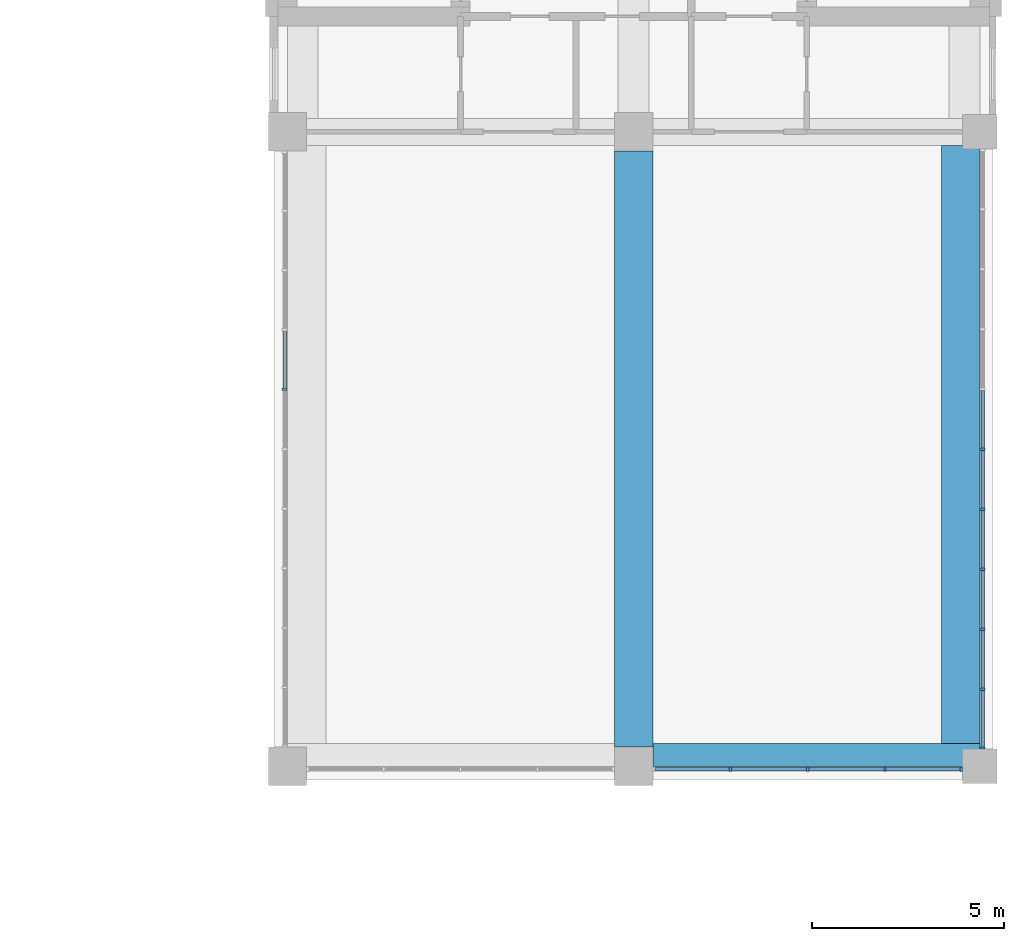
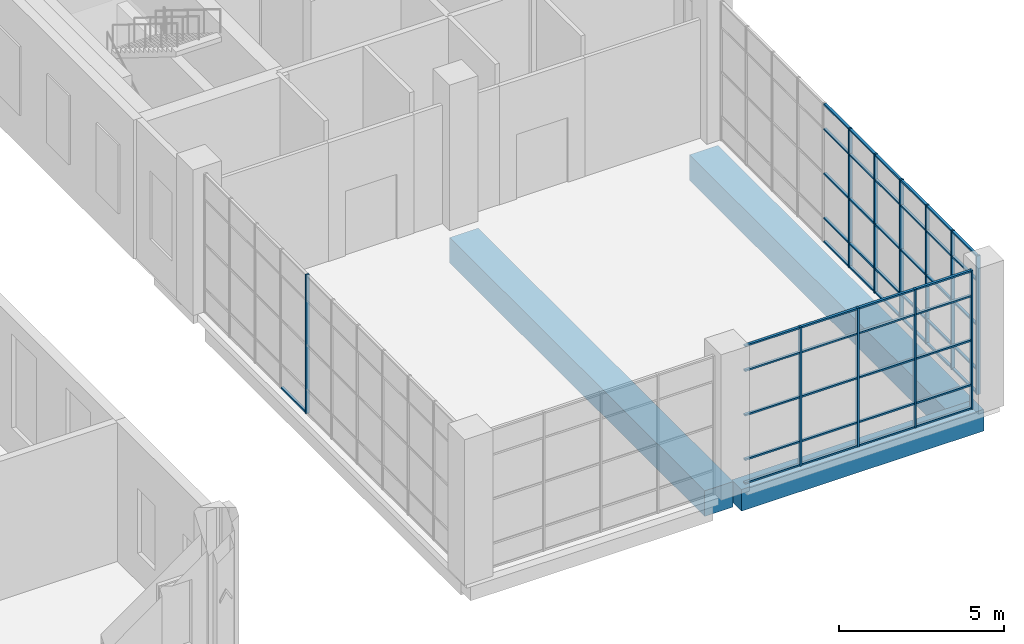
# One storey, part 7 of 33: 62 members, 3 beams, 3 elements without a shape of their own.
"""IFC4 building model written with IfcOpenShell, lengths in metres."""

from ifc_helpers import new_model, si_unit, direction, frame, origin, origin_2d, place, context, subcontext, project, spatial, rectangle, extrude, material, layer, layer_set, material_profile, profile_set, type_object, element, aggregate, save


model = new_model("IFC4")

# Units and contexts
model_context = context("Model", 3, precision=1e-05, world=origin(), true_north=direction((0.0, 1.0)))
body_context = subcontext(model_context, "Body", "Model", "MODEL_VIEW")
ifc_project = project(units=[si_unit("LENGTHUNIT", "METRE"), si_unit("AREAUNIT", "SQUARE_METRE"), si_unit("VOLUMEUNIT", "CUBIC_METRE"), si_unit("PLANEANGLEUNIT", "RADIAN"), si_unit("MASSUNIT", "GRAM", prefix="KILO")], contexts=[model_context])

# Site, building, storey
site_placement = place(None, origin())
site = spatial("IfcSite", under=ifc_project, at=site_placement, CompositionType="ELEMENT")
building_placement = place(site_placement, origin())
building = spatial("IfcBuilding", under=site, at=building_placement, Name="Aurelan Courthouse", CompositionType="ELEMENT")
storey_placement = place(building_placement, frame((0.0, 0.0, 22.800048828125)))
storey = spatial("IfcBuildingStorey", under=building, at=storey_placement, Name="L04", CompositionType="ELEMENT", Elevation=22.800048828125)

# Curtain wall, members
ifc_material_1 = material(Name="Bronze-finished aluminium and glass", Category="aluminium")
ifc_layer_1 = layer(ifc_material_1, 0.14990234375)
ifc_layer_set_1 = layer_set([ifc_layer_1], Name="Bronze-finished aluminium and glass")
curtain_wall_type_1 = type_object("IfcCurtainWallType", Name="Curtain wall 8050 x 5150", PredefinedType="NOTDEFINED", material=ifc_layer_set_1)
curtain_wall_1_placement = place(storey_placement, origin())
curtain_wall_1 = element("IfcCurtainWall", 1, at=curtain_wall_1_placement, inside=storey, type_object=curtain_wall_type_1, Name="Curtain wall CW-V3-L04-S02", PredefinedType="NOTDEFINED")
ifc_material_2 = material(Name="Bronze-finished aluminium", Category="aluminium")
ifc_material_profile_1 = material_profile(ifc_material_2, rectangle(XDim=0.125, YDim=0.06005859375, at=origin_2d()), Name="Bronze mullion 60 x 125")
ifc_profile_set_1 = profile_set([ifc_material_profile_1], Name="Bronze-finished aluminium")
member_type_1 = type_object("IfcMemberType", Name="Curtain wall mullion 60 x 125", PredefinedType="MULLION", material=ifc_profile_set_1)
member_1_placement = place(storey_placement, frame((83.512451171875, 37.425048828125, 0.0), z_axis=(0.0, 0.0, 1.0), x_axis=(0.0, 1.0, 0.0)))
member_1 = element("IfcMember", 2, at=member_1_placement, type_object=member_type_1, Name="CW-V3-L04-S02 mullion 2", PredefinedType="MULLION", context=body_context, shape_type="SweptSolid", body=[
    extrude(rectangle(XDim=0.125, YDim=0.06005859375, at=origin_2d()), origin(), (0.0, 0.0, 1.0), 5.14990234375),
])
member_2_placement = place(storey_placement, frame((85.52490234375, 37.425048828125, 0.0), z_axis=(0.0, 0.0, 1.0), x_axis=(0.0, 1.0, 0.0)))
member_2 = element("IfcMember", 3, at=member_2_placement, type_object=member_type_1, Name="CW-V3-L04-S02 mullion 3", PredefinedType="MULLION", context=body_context, shape_type="SweptSolid", body=[
    extrude(rectangle(XDim=0.125, YDim=0.06005859375, at=origin_2d()), origin(), (0.0, 0.0, 1.0), 5.14990234375),
])
member_3_placement = place(storey_placement, frame((87.53759765625, 37.425048828125, 0.0), z_axis=(0.0, 0.0, 1.0), x_axis=(0.0, 1.0, 0.0)))
member_3 = element("IfcMember", 4, at=member_3_placement, type_object=member_type_1, Name="CW-V3-L04-S02 mullion 4", PredefinedType="MULLION", context=body_context, shape_type="SweptSolid", body=[
    extrude(rectangle(XDim=0.125, YDim=0.06005859375, at=origin_2d()), origin(), (0.0, 0.0, 1.0), 5.14990234375),
])
member_4_placement = place(storey_placement, frame((89.52001953125, 37.425048828125, 0.0), z_axis=(0.0, 0.0, 1.0), x_axis=(0.0, 1.0, 0.0)))
member_4 = element("IfcMember", 5, at=member_4_placement, type_object=member_type_1, Name="CW-V3-L04-S02 mullion 5", PredefinedType="MULLION", context=body_context, shape_type="SweptSolid", body=[
    extrude(rectangle(XDim=0.125, YDim=0.06005859375, at=origin_2d()), origin(), (0.0, 0.0, 1.0), 5.14990234375),
])

ifc_layer_2 = layer(ifc_material_1, 0.14990234375)
ifc_layer_set_2 = layer_set([ifc_layer_2], Name="Bronze-finished aluminium and glass")
curtain_wall_type_2 = type_object("IfcCurtainWallType", Name="Curtain wall 15600 x 5150", PredefinedType="NOTDEFINED", material=ifc_layer_set_2)
curtain_wall_2_placement = place(storey_placement, origin())
curtain_wall_2 = element("IfcCurtainWall", 6, at=curtain_wall_2_placement, inside=storey, type_object=curtain_wall_type_2, Name="Curtain wall CW-V3-L04-E01", PredefinedType="NOTDEFINED")
member_5_placement = place(storey_placement, frame((90.074951171875, 37.97998046875, 0.0), z_axis=(0.0, 0.0, 1.0), x_axis=(-1.0, 0.0, 0.0)))
member_5 = element("IfcMember", 7, at=member_5_placement, type_object=member_type_1, Name="CW-V3-L04-E01 mullion 1", PredefinedType="MULLION", context=body_context, shape_type="SweptSolid", body=[
    extrude(rectangle(XDim=0.125, YDim=0.06005859375, at=origin_2d()), origin(), (0.0, 0.0, 1.0), 5.14990234375),
])
member_6_placement = place(storey_placement, frame((90.074951171875, 39.510009765625, 0.0), z_axis=(0.0, 0.0, 1.0), x_axis=(-1.0, 0.0, 0.0)))
member_6 = element("IfcMember", 8, at=member_6_placement, type_object=member_type_1, Name="CW-V3-L04-E01 mullion 2", PredefinedType="MULLION", context=body_context, shape_type="SweptSolid", body=[
    extrude(rectangle(XDim=0.125, YDim=0.06005859375, at=origin_2d()), origin(), (0.0, 0.0, 1.0), 5.14990234375),
])
member_7_placement = place(storey_placement, frame((90.074951171875, 41.070068359375, 0.0), z_axis=(0.0, 0.0, 1.0), x_axis=(-1.0, 0.0, 0.0)))
member_7 = element("IfcMember", 9, at=member_7_placement, type_object=member_type_1, Name="CW-V3-L04-E01 mullion 3", PredefinedType="MULLION", context=body_context, shape_type="SweptSolid", body=[
    extrude(rectangle(XDim=0.125, YDim=0.06005859375, at=origin_2d()), origin(), (0.0, 0.0, 1.0), 5.14990234375),
])
member_8_placement = place(storey_placement, frame((90.074951171875, 42.6298828125, 0.0), z_axis=(0.0, 0.0, 1.0), x_axis=(-1.0, 0.0, 0.0)))
member_8 = element("IfcMember", 10, at=member_8_placement, type_object=member_type_1, Name="CW-V3-L04-E01 mullion 4", PredefinedType="MULLION", context=body_context, shape_type="SweptSolid", body=[
    extrude(rectangle(XDim=0.125, YDim=0.06005859375, at=origin_2d()), origin(), (0.0, 0.0, 1.0), 5.14990234375),
])
member_9_placement = place(storey_placement, frame((90.074951171875, 44.18994140625, 0.0), z_axis=(0.0, 0.0, 1.0), x_axis=(-1.0, 0.0, 0.0)))
member_9 = element("IfcMember", 11, at=member_9_placement, type_object=member_type_1, Name="CW-V3-L04-E01 mullion 5", PredefinedType="MULLION", context=body_context, shape_type="SweptSolid", body=[
    extrude(rectangle(XDim=0.125, YDim=0.06005859375, at=origin_2d()), origin(), (0.0, 0.0, 1.0), 5.14990234375),
])
member_10_placement = place(storey_placement, frame((90.074951171875, 45.75, 0.0), z_axis=(0.0, 0.0, 1.0), x_axis=(-1.0, 0.0, 0.0)))
member_10 = element("IfcMember", 12, at=member_10_placement, type_object=member_type_1, Name="CW-V3-L04-E01 mullion 6", PredefinedType="MULLION", context=body_context, shape_type="SweptSolid", body=[
    extrude(rectangle(XDim=0.125, YDim=0.06005859375, at=origin_2d()), origin(), (0.0, 0.0, 1.0), 5.14990234375),
])

# Curtain wall, member
ifc_layer_3 = layer(ifc_material_1, 0.14990234375)
ifc_layer_set_3 = layer_set([ifc_layer_3], Name="Bronze-finished aluminium and glass")
curtain_wall_type_3 = type_object("IfcCurtainWallType", Name="Curtain wall 15500 x 5150", PredefinedType="NOTDEFINED", material=ifc_layer_set_3)
curtain_wall_3_placement = place(storey_placement, origin())
curtain_wall_3 = element("IfcCurtainWall", 13, at=curtain_wall_3_placement, inside=storey, type_object=curtain_wall_type_3, Name="Curtain wall CW-V3-L04-W01", PredefinedType="NOTDEFINED")
member_11_placement = place(storey_placement, frame((71.925048828125, 47.300048828125, 0.0), z_axis=(0.0, 0.0, 1.0), x_axis=(-1.0, 0.0, 0.0)))
member_11 = element("IfcMember", 14, at=member_11_placement, type_object=member_type_1, Name="CW-V3-L04-W01 mullion 7", PredefinedType="MULLION", context=body_context, shape_type="SweptSolid", body=[
    extrude(rectangle(XDim=0.125, YDim=0.06005859375, at=origin_2d()), origin(), (0.0, 0.0, 1.0), 5.14990234375),
])

# Member
ifc_material_profile_2 = material_profile(ifc_material_2, rectangle(XDim=0.090087890625, YDim=0.06005859375, at=origin_2d()), Name="Bronze transom 60 x 90")
ifc_profile_set_2 = profile_set([ifc_material_profile_2], Name="Bronze-finished aluminium")
member_type_2 = type_object("IfcMemberType", Name="Curtain wall transom 60 x 90", PredefinedType="USERDEFINED", material=ifc_profile_set_2)
member_12_placement = place(storey_placement, frame((81.56005859375, 37.425048828125, 0.030029296875), z_axis=(1.0, 0.0, 0.0), x_axis=(0.0, 1.0, 0.0)))
member_12 = element("IfcMember", 15, at=member_12_placement, type_object=member_type_2, Name="CW-V3-L04-S02 transom 1.1", ObjectType="TRANSOM", PredefinedType="USERDEFINED", context=body_context, shape_type="SweptSolid", body=[
    extrude(rectangle(XDim=0.090087890625, YDim=0.06005859375, at=origin_2d()), origin(), (0.0, 0.0, 1.0), 1.92236328125),
])

member_13_placement = place(storey_placement, frame((81.56005859375, 37.425048828125, 0.89990234375), z_axis=(1.0, 0.0, 0.0), x_axis=(0.0, 1.0, 0.0)))
member_13 = element("IfcMember", 16, at=member_13_placement, type_object=member_type_2, Name="CW-V3-L04-S02 transom 1.2", ObjectType="TRANSOM", PredefinedType="USERDEFINED", context=body_context, shape_type="SweptSolid", body=[
    extrude(rectangle(XDim=0.090087890625, YDim=0.06005859375, at=origin_2d()), origin(), (0.0, 0.0, 1.0), 1.92236328125),
])

member_14_placement = place(storey_placement, frame((81.56005859375, 37.425048828125, 2.550048828125), z_axis=(1.0, 0.0, 0.0), x_axis=(0.0, 1.0, 0.0)))
member_14 = element("IfcMember", 17, at=member_14_placement, type_object=member_type_2, Name="CW-V3-L04-S02 transom 1.3", ObjectType="TRANSOM", PredefinedType="USERDEFINED", context=body_context, shape_type="SweptSolid", body=[
    extrude(rectangle(XDim=0.090087890625, YDim=0.06005859375, at=origin_2d()), origin(), (0.0, 0.0, 1.0), 1.92236328125),
])

member_15_placement = place(storey_placement, frame((81.56005859375, 37.425048828125, 4.199951171875), z_axis=(1.0, 0.0, 0.0), x_axis=(0.0, 1.0, 0.0)))
member_15 = element("IfcMember", 18, at=member_15_placement, type_object=member_type_2, Name="CW-V3-L04-S02 transom 1.4", ObjectType="TRANSOM", PredefinedType="USERDEFINED", context=body_context, shape_type="SweptSolid", body=[
    extrude(rectangle(XDim=0.090087890625, YDim=0.06005859375, at=origin_2d()), origin(), (0.0, 0.0, 1.0), 1.92236328125),
])

member_16_placement = place(storey_placement, frame((81.56005859375, 37.425048828125, 5.119873046875), z_axis=(1.0, 0.0, 0.0), x_axis=(0.0, 1.0, 0.0)))
member_16 = element("IfcMember", 19, at=member_16_placement, type_object=member_type_2, Name="CW-V3-L04-S02 transom 1.5", ObjectType="TRANSOM", PredefinedType="USERDEFINED", context=body_context, shape_type="SweptSolid", body=[
    extrude(rectangle(XDim=0.090087890625, YDim=0.06005859375, at=origin_2d()), origin(), (0.0, 0.0, 1.0), 1.92236328125),
])

member_17_placement = place(storey_placement, frame((83.54248046875, 37.425048828125, 0.030029296875), z_axis=(1.0, 0.0, 0.0), x_axis=(0.0, 1.0, 0.0)))
member_17 = element("IfcMember", 20, at=member_17_placement, type_object=member_type_2, Name="CW-V3-L04-S02 transom 2.1", ObjectType="TRANSOM", PredefinedType="USERDEFINED", context=body_context, shape_type="SweptSolid", body=[
    extrude(rectangle(XDim=0.090087890625, YDim=0.06005859375, at=origin_2d()), origin(), (0.0, 0.0, 1.0), 1.95263671875),
])

member_18_placement = place(storey_placement, frame((83.54248046875, 37.425048828125, 0.89990234375), z_axis=(1.0, 0.0, 0.0), x_axis=(0.0, 1.0, 0.0)))
member_18 = element("IfcMember", 21, at=member_18_placement, type_object=member_type_2, Name="CW-V3-L04-S02 transom 2.2", ObjectType="TRANSOM", PredefinedType="USERDEFINED", context=body_context, shape_type="SweptSolid", body=[
    extrude(rectangle(XDim=0.090087890625, YDim=0.06005859375, at=origin_2d()), origin(), (0.0, 0.0, 1.0), 1.95263671875),
])

member_19_placement = place(storey_placement, frame((83.54248046875, 37.425048828125, 2.550048828125), z_axis=(1.0, 0.0, 0.0), x_axis=(0.0, 1.0, 0.0)))
member_19 = element("IfcMember", 22, at=member_19_placement, type_object=member_type_2, Name="CW-V3-L04-S02 transom 2.3", ObjectType="TRANSOM", PredefinedType="USERDEFINED", context=body_context, shape_type="SweptSolid", body=[
    extrude(rectangle(XDim=0.090087890625, YDim=0.06005859375, at=origin_2d()), origin(), (0.0, 0.0, 1.0), 1.95263671875),
])

member_20_placement = place(storey_placement, frame((83.54248046875, 37.425048828125, 4.199951171875), z_axis=(1.0, 0.0, 0.0), x_axis=(0.0, 1.0, 0.0)))
member_20 = element("IfcMember", 23, at=member_20_placement, type_object=member_type_2, Name="CW-V3-L04-S02 transom 2.4", ObjectType="TRANSOM", PredefinedType="USERDEFINED", context=body_context, shape_type="SweptSolid", body=[
    extrude(rectangle(XDim=0.090087890625, YDim=0.06005859375, at=origin_2d()), origin(), (0.0, 0.0, 1.0), 1.95263671875),
])

member_21_placement = place(storey_placement, frame((83.54248046875, 37.425048828125, 5.119873046875), z_axis=(1.0, 0.0, 0.0), x_axis=(0.0, 1.0, 0.0)))
member_21 = element("IfcMember", 24, at=member_21_placement, type_object=member_type_2, Name="CW-V3-L04-S02 transom 2.5", ObjectType="TRANSOM", PredefinedType="USERDEFINED", context=body_context, shape_type="SweptSolid", body=[
    extrude(rectangle(XDim=0.090087890625, YDim=0.06005859375, at=origin_2d()), origin(), (0.0, 0.0, 1.0), 1.95263671875),
])

member_22_placement = place(storey_placement, frame((85.554931640625, 37.425048828125, 0.030029296875), z_axis=(1.0, 0.0, 0.0), x_axis=(0.0, 1.0, 0.0)))
member_22 = element("IfcMember", 25, at=member_22_placement, type_object=member_type_2, Name="CW-V3-L04-S02 transom 3.1", ObjectType="TRANSOM", PredefinedType="USERDEFINED", context=body_context, shape_type="SweptSolid", body=[
    extrude(rectangle(XDim=0.090087890625, YDim=0.06005859375, at=origin_2d()), origin(), (0.0, 0.0, 1.0), 1.95263671875),
])

member_23_placement = place(storey_placement, frame((85.554931640625, 37.425048828125, 0.89990234375), z_axis=(1.0, 0.0, 0.0), x_axis=(0.0, 1.0, 0.0)))
member_23 = element("IfcMember", 26, at=member_23_placement, type_object=member_type_2, Name="CW-V3-L04-S02 transom 3.2", ObjectType="TRANSOM", PredefinedType="USERDEFINED", context=body_context, shape_type="SweptSolid", body=[
    extrude(rectangle(XDim=0.090087890625, YDim=0.06005859375, at=origin_2d()), origin(), (0.0, 0.0, 1.0), 1.95263671875),
])

member_24_placement = place(storey_placement, frame((85.554931640625, 37.425048828125, 2.550048828125), z_axis=(1.0, 0.0, 0.0), x_axis=(0.0, 1.0, 0.0)))
member_24 = element("IfcMember", 27, at=member_24_placement, type_object=member_type_2, Name="CW-V3-L04-S02 transom 3.3", ObjectType="TRANSOM", PredefinedType="USERDEFINED", context=body_context, shape_type="SweptSolid", body=[
    extrude(rectangle(XDim=0.090087890625, YDim=0.06005859375, at=origin_2d()), origin(), (0.0, 0.0, 1.0), 1.95263671875),
])

member_25_placement = place(storey_placement, frame((85.554931640625, 37.425048828125, 4.199951171875), z_axis=(1.0, 0.0, 0.0), x_axis=(0.0, 1.0, 0.0)))
member_25 = element("IfcMember", 28, at=member_25_placement, type_object=member_type_2, Name="CW-V3-L04-S02 transom 3.4", ObjectType="TRANSOM", PredefinedType="USERDEFINED", context=body_context, shape_type="SweptSolid", body=[
    extrude(rectangle(XDim=0.090087890625, YDim=0.06005859375, at=origin_2d()), origin(), (0.0, 0.0, 1.0), 1.95263671875),
])

member_26_placement = place(storey_placement, frame((85.554931640625, 37.425048828125, 5.119873046875), z_axis=(1.0, 0.0, 0.0), x_axis=(0.0, 1.0, 0.0)))
member_26 = element("IfcMember", 29, at=member_26_placement, type_object=member_type_2, Name="CW-V3-L04-S02 transom 3.5", ObjectType="TRANSOM", PredefinedType="USERDEFINED", context=body_context, shape_type="SweptSolid", body=[
    extrude(rectangle(XDim=0.090087890625, YDim=0.06005859375, at=origin_2d()), origin(), (0.0, 0.0, 1.0), 1.95263671875),
])

member_27_placement = place(storey_placement, frame((87.5673828125, 37.425048828125, 0.030029296875), z_axis=(1.0, 0.0, 0.0), x_axis=(0.0, 1.0, 0.0)))
member_27 = element("IfcMember", 30, at=member_27_placement, type_object=member_type_2, Name="CW-V3-L04-S02 transom 4.1", ObjectType="TRANSOM", PredefinedType="USERDEFINED", context=body_context, shape_type="SweptSolid", body=[
    extrude(rectangle(XDim=0.090087890625, YDim=0.06005859375, at=origin_2d()), origin(), (0.0, 0.0, 1.0), 1.922607421875),
])

member_28_placement = place(storey_placement, frame((87.5673828125, 37.425048828125, 0.89990234375), z_axis=(1.0, 0.0, 0.0), x_axis=(0.0, 1.0, 0.0)))
member_28 = element("IfcMember", 31, at=member_28_placement, type_object=member_type_2, Name="CW-V3-L04-S02 transom 4.2", ObjectType="TRANSOM", PredefinedType="USERDEFINED", context=body_context, shape_type="SweptSolid", body=[
    extrude(rectangle(XDim=0.090087890625, YDim=0.06005859375, at=origin_2d()), origin(), (0.0, 0.0, 1.0), 1.922607421875),
])

member_29_placement = place(storey_placement, frame((87.5673828125, 37.425048828125, 2.550048828125), z_axis=(1.0, 0.0, 0.0), x_axis=(0.0, 1.0, 0.0)))
member_29 = element("IfcMember", 32, at=member_29_placement, type_object=member_type_2, Name="CW-V3-L04-S02 transom 4.3", ObjectType="TRANSOM", PredefinedType="USERDEFINED", context=body_context, shape_type="SweptSolid", body=[
    extrude(rectangle(XDim=0.090087890625, YDim=0.06005859375, at=origin_2d()), origin(), (0.0, 0.0, 1.0), 1.922607421875),
])

member_30_placement = place(storey_placement, frame((87.5673828125, 37.425048828125, 4.199951171875), z_axis=(1.0, 0.0, 0.0), x_axis=(0.0, 1.0, 0.0)))
member_30 = element("IfcMember", 33, at=member_30_placement, type_object=member_type_2, Name="CW-V3-L04-S02 transom 4.4", ObjectType="TRANSOM", PredefinedType="USERDEFINED", context=body_context, shape_type="SweptSolid", body=[
    extrude(rectangle(XDim=0.090087890625, YDim=0.06005859375, at=origin_2d()), origin(), (0.0, 0.0, 1.0), 1.922607421875),
])

member_31_placement = place(storey_placement, frame((87.5673828125, 37.425048828125, 5.119873046875), z_axis=(1.0, 0.0, 0.0), x_axis=(0.0, 1.0, 0.0)))
member_31 = element("IfcMember", 34, at=member_31_placement, type_object=member_type_2, Name="CW-V3-L04-S02 transom 4.5", ObjectType="TRANSOM", PredefinedType="USERDEFINED", context=body_context, shape_type="SweptSolid", body=[
    extrude(rectangle(XDim=0.090087890625, YDim=0.06005859375, at=origin_2d()), origin(), (0.0, 0.0, 1.0), 1.922607421875),
])

aggregate(curtain_wall_1, [member_1, member_2, member_3, member_4, member_12, member_13, member_14, member_15, member_16, member_17, member_18, member_19, member_20, member_21, member_22, member_23, member_24, member_25, member_26, member_27, member_28, member_29, member_30, member_31])

member_32_placement = place(storey_placement, frame((90.074951171875, 38.010009765625, 0.030029296875), z_axis=(0.0, 1.0, 0.0), x_axis=(-1.0, 0.0, 0.0)))
member_32 = element("IfcMember", 35, at=member_32_placement, type_object=member_type_2, Name="CW-V3-L04-E01 transom 1.1", ObjectType="TRANSOM", PredefinedType="USERDEFINED", context=body_context, shape_type="SweptSolid", body=[
    extrude(rectangle(XDim=0.090087890625, YDim=0.06005859375, at=origin_2d()), origin(), (0.0, 0.0, 1.0), 1.469970703125),
])

member_33_placement = place(storey_placement, frame((90.074951171875, 38.010009765625, 0.89990234375), z_axis=(0.0, 1.0, 0.0), x_axis=(-1.0, 0.0, 0.0)))
member_33 = element("IfcMember", 36, at=member_33_placement, type_object=member_type_2, Name="CW-V3-L04-E01 transom 1.2", ObjectType="TRANSOM", PredefinedType="USERDEFINED", context=body_context, shape_type="SweptSolid", body=[
    extrude(rectangle(XDim=0.090087890625, YDim=0.06005859375, at=origin_2d()), origin(), (0.0, 0.0, 1.0), 1.469970703125),
])

member_34_placement = place(storey_placement, frame((90.074951171875, 38.010009765625, 2.550048828125), z_axis=(0.0, 1.0, 0.0), x_axis=(-1.0, 0.0, 0.0)))
member_34 = element("IfcMember", 37, at=member_34_placement, type_object=member_type_2, Name="CW-V3-L04-E01 transom 1.3", ObjectType="TRANSOM", PredefinedType="USERDEFINED", context=body_context, shape_type="SweptSolid", body=[
    extrude(rectangle(XDim=0.090087890625, YDim=0.06005859375, at=origin_2d()), origin(), (0.0, 0.0, 1.0), 1.469970703125),
])

member_35_placement = place(storey_placement, frame((90.074951171875, 38.010009765625, 4.199951171875), z_axis=(0.0, 1.0, 0.0), x_axis=(-1.0, 0.0, 0.0)))
member_35 = element("IfcMember", 38, at=member_35_placement, type_object=member_type_2, Name="CW-V3-L04-E01 transom 1.4", ObjectType="TRANSOM", PredefinedType="USERDEFINED", context=body_context, shape_type="SweptSolid", body=[
    extrude(rectangle(XDim=0.090087890625, YDim=0.06005859375, at=origin_2d()), origin(), (0.0, 0.0, 1.0), 1.469970703125),
])

member_36_placement = place(storey_placement, frame((90.074951171875, 38.010009765625, 5.119873046875), z_axis=(0.0, 1.0, 0.0), x_axis=(-1.0, 0.0, 0.0)))
member_36 = element("IfcMember", 39, at=member_36_placement, type_object=member_type_2, Name="CW-V3-L04-E01 transom 1.5", ObjectType="TRANSOM", PredefinedType="USERDEFINED", context=body_context, shape_type="SweptSolid", body=[
    extrude(rectangle(XDim=0.090087890625, YDim=0.06005859375, at=origin_2d()), origin(), (0.0, 0.0, 1.0), 1.469970703125),
])

member_37_placement = place(storey_placement, frame((90.074951171875, 39.5400390625, 0.030029296875), z_axis=(0.0, 1.0, 0.0), x_axis=(-1.0, 0.0, 0.0)))
member_37 = element("IfcMember", 40, at=member_37_placement, type_object=member_type_2, Name="CW-V3-L04-E01 transom 2.1", ObjectType="TRANSOM", PredefinedType="USERDEFINED", context=body_context, shape_type="SweptSolid", body=[
    extrude(rectangle(XDim=0.090087890625, YDim=0.06005859375, at=origin_2d()), origin(), (0.0, 0.0, 1.0), 1.5),
])

member_38_placement = place(storey_placement, frame((90.074951171875, 39.5400390625, 0.89990234375), z_axis=(0.0, 1.0, 0.0), x_axis=(-1.0, 0.0, 0.0)))
member_38 = element("IfcMember", 41, at=member_38_placement, type_object=member_type_2, Name="CW-V3-L04-E01 transom 2.2", ObjectType="TRANSOM", PredefinedType="USERDEFINED", context=body_context, shape_type="SweptSolid", body=[
    extrude(rectangle(XDim=0.090087890625, YDim=0.06005859375, at=origin_2d()), origin(), (0.0, 0.0, 1.0), 1.5),
])

member_39_placement = place(storey_placement, frame((90.074951171875, 39.5400390625, 2.550048828125), z_axis=(0.0, 1.0, 0.0), x_axis=(-1.0, 0.0, 0.0)))
member_39 = element("IfcMember", 42, at=member_39_placement, type_object=member_type_2, Name="CW-V3-L04-E01 transom 2.3", ObjectType="TRANSOM", PredefinedType="USERDEFINED", context=body_context, shape_type="SweptSolid", body=[
    extrude(rectangle(XDim=0.090087890625, YDim=0.06005859375, at=origin_2d()), origin(), (0.0, 0.0, 1.0), 1.5),
])

member_40_placement = place(storey_placement, frame((90.074951171875, 39.5400390625, 4.199951171875), z_axis=(0.0, 1.0, 0.0), x_axis=(-1.0, 0.0, 0.0)))
member_40 = element("IfcMember", 43, at=member_40_placement, type_object=member_type_2, Name="CW-V3-L04-E01 transom 2.4", ObjectType="TRANSOM", PredefinedType="USERDEFINED", context=body_context, shape_type="SweptSolid", body=[
    extrude(rectangle(XDim=0.090087890625, YDim=0.06005859375, at=origin_2d()), origin(), (0.0, 0.0, 1.0), 1.5),
])

member_41_placement = place(storey_placement, frame((90.074951171875, 39.5400390625, 5.119873046875), z_axis=(0.0, 1.0, 0.0), x_axis=(-1.0, 0.0, 0.0)))
member_41 = element("IfcMember", 44, at=member_41_placement, type_object=member_type_2, Name="CW-V3-L04-E01 transom 2.5", ObjectType="TRANSOM", PredefinedType="USERDEFINED", context=body_context, shape_type="SweptSolid", body=[
    extrude(rectangle(XDim=0.090087890625, YDim=0.06005859375, at=origin_2d()), origin(), (0.0, 0.0, 1.0), 1.5),
])

member_42_placement = place(storey_placement, frame((90.074951171875, 41.10009765625, 0.030029296875), z_axis=(0.0, 1.0, 0.0), x_axis=(-1.0, 0.0, 0.0)))
member_42 = element("IfcMember", 45, at=member_42_placement, type_object=member_type_2, Name="CW-V3-L04-E01 transom 3.1", ObjectType="TRANSOM", PredefinedType="USERDEFINED", context=body_context, shape_type="SweptSolid", body=[
    extrude(rectangle(XDim=0.090087890625, YDim=0.06005859375, at=origin_2d()), origin(), (0.0, 0.0, 1.0), 1.5),
])

member_43_placement = place(storey_placement, frame((90.074951171875, 41.10009765625, 0.89990234375), z_axis=(0.0, 1.0, 0.0), x_axis=(-1.0, 0.0, 0.0)))
member_43 = element("IfcMember", 46, at=member_43_placement, type_object=member_type_2, Name="CW-V3-L04-E01 transom 3.2", ObjectType="TRANSOM", PredefinedType="USERDEFINED", context=body_context, shape_type="SweptSolid", body=[
    extrude(rectangle(XDim=0.090087890625, YDim=0.06005859375, at=origin_2d()), origin(), (0.0, 0.0, 1.0), 1.5),
])

member_44_placement = place(storey_placement, frame((90.074951171875, 41.10009765625, 2.550048828125), z_axis=(0.0, 1.0, 0.0), x_axis=(-1.0, 0.0, 0.0)))
member_44 = element("IfcMember", 47, at=member_44_placement, type_object=member_type_2, Name="CW-V3-L04-E01 transom 3.3", ObjectType="TRANSOM", PredefinedType="USERDEFINED", context=body_context, shape_type="SweptSolid", body=[
    extrude(rectangle(XDim=0.090087890625, YDim=0.06005859375, at=origin_2d()), origin(), (0.0, 0.0, 1.0), 1.5),
])

member_45_placement = place(storey_placement, frame((90.074951171875, 41.10009765625, 4.199951171875), z_axis=(0.0, 1.0, 0.0), x_axis=(-1.0, 0.0, 0.0)))
member_45 = element("IfcMember", 48, at=member_45_placement, type_object=member_type_2, Name="CW-V3-L04-E01 transom 3.4", ObjectType="TRANSOM", PredefinedType="USERDEFINED", context=body_context, shape_type="SweptSolid", body=[
    extrude(rectangle(XDim=0.090087890625, YDim=0.06005859375, at=origin_2d()), origin(), (0.0, 0.0, 1.0), 1.5),
])

member_46_placement = place(storey_placement, frame((90.074951171875, 41.10009765625, 5.119873046875), z_axis=(0.0, 1.0, 0.0), x_axis=(-1.0, 0.0, 0.0)))
member_46 = element("IfcMember", 49, at=member_46_placement, type_object=member_type_2, Name="CW-V3-L04-E01 transom 3.5", ObjectType="TRANSOM", PredefinedType="USERDEFINED", context=body_context, shape_type="SweptSolid", body=[
    extrude(rectangle(XDim=0.090087890625, YDim=0.06005859375, at=origin_2d()), origin(), (0.0, 0.0, 1.0), 1.5),
])

member_47_placement = place(storey_placement, frame((90.074951171875, 42.659912109375, 0.030029296875), z_axis=(0.0, 1.0, 0.0), x_axis=(-1.0, 0.0, 0.0)))
member_47 = element("IfcMember", 50, at=member_47_placement, type_object=member_type_2, Name="CW-V3-L04-E01 transom 4.1", ObjectType="TRANSOM", PredefinedType="USERDEFINED", context=body_context, shape_type="SweptSolid", body=[
    extrude(rectangle(XDim=0.090087890625, YDim=0.06005859375, at=origin_2d()), origin(), (0.0, 0.0, 1.0), 1.5),
])

member_48_placement = place(storey_placement, frame((90.074951171875, 42.659912109375, 0.89990234375), z_axis=(0.0, 1.0, 0.0), x_axis=(-1.0, 0.0, 0.0)))
member_48 = element("IfcMember", 51, at=member_48_placement, type_object=member_type_2, Name="CW-V3-L04-E01 transom 4.2", ObjectType="TRANSOM", PredefinedType="USERDEFINED", context=body_context, shape_type="SweptSolid", body=[
    extrude(rectangle(XDim=0.090087890625, YDim=0.06005859375, at=origin_2d()), origin(), (0.0, 0.0, 1.0), 1.5),
])

member_49_placement = place(storey_placement, frame((90.074951171875, 42.659912109375, 2.550048828125), z_axis=(0.0, 1.0, 0.0), x_axis=(-1.0, 0.0, 0.0)))
member_49 = element("IfcMember", 52, at=member_49_placement, type_object=member_type_2, Name="CW-V3-L04-E01 transom 4.3", ObjectType="TRANSOM", PredefinedType="USERDEFINED", context=body_context, shape_type="SweptSolid", body=[
    extrude(rectangle(XDim=0.090087890625, YDim=0.06005859375, at=origin_2d()), origin(), (0.0, 0.0, 1.0), 1.5),
])

member_50_placement = place(storey_placement, frame((90.074951171875, 42.659912109375, 4.199951171875), z_axis=(0.0, 1.0, 0.0), x_axis=(-1.0, 0.0, 0.0)))
member_50 = element("IfcMember", 53, at=member_50_placement, type_object=member_type_2, Name="CW-V3-L04-E01 transom 4.4", ObjectType="TRANSOM", PredefinedType="USERDEFINED", context=body_context, shape_type="SweptSolid", body=[
    extrude(rectangle(XDim=0.090087890625, YDim=0.06005859375, at=origin_2d()), origin(), (0.0, 0.0, 1.0), 1.5),
])

member_51_placement = place(storey_placement, frame((90.074951171875, 42.659912109375, 5.119873046875), z_axis=(0.0, 1.0, 0.0), x_axis=(-1.0, 0.0, 0.0)))
member_51 = element("IfcMember", 54, at=member_51_placement, type_object=member_type_2, Name="CW-V3-L04-E01 transom 4.5", ObjectType="TRANSOM", PredefinedType="USERDEFINED", context=body_context, shape_type="SweptSolid", body=[
    extrude(rectangle(XDim=0.090087890625, YDim=0.06005859375, at=origin_2d()), origin(), (0.0, 0.0, 1.0), 1.5),
])

member_52_placement = place(storey_placement, frame((90.074951171875, 44.219970703125, 0.030029296875), z_axis=(0.0, 1.0, 0.0), x_axis=(-1.0, 0.0, 0.0)))
member_52 = element("IfcMember", 55, at=member_52_placement, type_object=member_type_2, Name="CW-V3-L04-E01 transom 5.1", ObjectType="TRANSOM", PredefinedType="USERDEFINED", context=body_context, shape_type="SweptSolid", body=[
    extrude(rectangle(XDim=0.090087890625, YDim=0.06005859375, at=origin_2d()), origin(), (0.0, 0.0, 1.0), 1.5),
])

member_53_placement = place(storey_placement, frame((90.074951171875, 44.219970703125, 0.89990234375), z_axis=(0.0, 1.0, 0.0), x_axis=(-1.0, 0.0, 0.0)))
member_53 = element("IfcMember", 56, at=member_53_placement, type_object=member_type_2, Name="CW-V3-L04-E01 transom 5.2", ObjectType="TRANSOM", PredefinedType="USERDEFINED", context=body_context, shape_type="SweptSolid", body=[
    extrude(rectangle(XDim=0.090087890625, YDim=0.06005859375, at=origin_2d()), origin(), (0.0, 0.0, 1.0), 1.5),
])

member_54_placement = place(storey_placement, frame((90.074951171875, 44.219970703125, 2.550048828125), z_axis=(0.0, 1.0, 0.0), x_axis=(-1.0, 0.0, 0.0)))
member_54 = element("IfcMember", 57, at=member_54_placement, type_object=member_type_2, Name="CW-V3-L04-E01 transom 5.3", ObjectType="TRANSOM", PredefinedType="USERDEFINED", context=body_context, shape_type="SweptSolid", body=[
    extrude(rectangle(XDim=0.090087890625, YDim=0.06005859375, at=origin_2d()), origin(), (0.0, 0.0, 1.0), 1.5),
])

member_55_placement = place(storey_placement, frame((90.074951171875, 44.219970703125, 4.199951171875), z_axis=(0.0, 1.0, 0.0), x_axis=(-1.0, 0.0, 0.0)))
member_55 = element("IfcMember", 58, at=member_55_placement, type_object=member_type_2, Name="CW-V3-L04-E01 transom 5.4", ObjectType="TRANSOM", PredefinedType="USERDEFINED", context=body_context, shape_type="SweptSolid", body=[
    extrude(rectangle(XDim=0.090087890625, YDim=0.06005859375, at=origin_2d()), origin(), (0.0, 0.0, 1.0), 1.5),
])

member_56_placement = place(storey_placement, frame((90.074951171875, 44.219970703125, 5.119873046875), z_axis=(0.0, 1.0, 0.0), x_axis=(-1.0, 0.0, 0.0)))
member_56 = element("IfcMember", 59, at=member_56_placement, type_object=member_type_2, Name="CW-V3-L04-E01 transom 5.5", ObjectType="TRANSOM", PredefinedType="USERDEFINED", context=body_context, shape_type="SweptSolid", body=[
    extrude(rectangle(XDim=0.090087890625, YDim=0.06005859375, at=origin_2d()), origin(), (0.0, 0.0, 1.0), 1.5),
])

member_57_placement = place(storey_placement, frame((90.074951171875, 45.780029296875, 0.030029296875), z_axis=(0.0, 1.0, 0.0), x_axis=(-1.0, 0.0, 0.0)))
member_57 = element("IfcMember", 60, at=member_57_placement, type_object=member_type_2, Name="CW-V3-L04-E01 transom 6.1", ObjectType="TRANSOM", PredefinedType="USERDEFINED", context=body_context, shape_type="SweptSolid", body=[
    extrude(rectangle(XDim=0.090087890625, YDim=0.06005859375, at=origin_2d()), origin(), (0.0, 0.0, 1.0), 1.5),
])

member_58_placement = place(storey_placement, frame((90.074951171875, 45.780029296875, 0.89990234375), z_axis=(0.0, 1.0, 0.0), x_axis=(-1.0, 0.0, 0.0)))
member_58 = element("IfcMember", 61, at=member_58_placement, type_object=member_type_2, Name="CW-V3-L04-E01 transom 6.2", ObjectType="TRANSOM", PredefinedType="USERDEFINED", context=body_context, shape_type="SweptSolid", body=[
    extrude(rectangle(XDim=0.090087890625, YDim=0.06005859375, at=origin_2d()), origin(), (0.0, 0.0, 1.0), 1.5),
])

member_59_placement = place(storey_placement, frame((90.074951171875, 45.780029296875, 2.550048828125), z_axis=(0.0, 1.0, 0.0), x_axis=(-1.0, 0.0, 0.0)))
member_59 = element("IfcMember", 62, at=member_59_placement, type_object=member_type_2, Name="CW-V3-L04-E01 transom 6.3", ObjectType="TRANSOM", PredefinedType="USERDEFINED", context=body_context, shape_type="SweptSolid", body=[
    extrude(rectangle(XDim=0.090087890625, YDim=0.06005859375, at=origin_2d()), origin(), (0.0, 0.0, 1.0), 1.5),
])

member_60_placement = place(storey_placement, frame((90.074951171875, 45.780029296875, 4.199951171875), z_axis=(0.0, 1.0, 0.0), x_axis=(-1.0, 0.0, 0.0)))
member_60 = element("IfcMember", 63, at=member_60_placement, type_object=member_type_2, Name="CW-V3-L04-E01 transom 6.4", ObjectType="TRANSOM", PredefinedType="USERDEFINED", context=body_context, shape_type="SweptSolid", body=[
    extrude(rectangle(XDim=0.090087890625, YDim=0.06005859375, at=origin_2d()), origin(), (0.0, 0.0, 1.0), 1.5),
])

member_61_placement = place(storey_placement, frame((90.074951171875, 45.780029296875, 5.119873046875), z_axis=(0.0, 1.0, 0.0), x_axis=(-1.0, 0.0, 0.0)))
member_61 = element("IfcMember", 64, at=member_61_placement, type_object=member_type_2, Name="CW-V3-L04-E01 transom 6.5", ObjectType="TRANSOM", PredefinedType="USERDEFINED", context=body_context, shape_type="SweptSolid", body=[
    extrude(rectangle(XDim=0.090087890625, YDim=0.06005859375, at=origin_2d()), origin(), (0.0, 0.0, 1.0), 1.5),
])

aggregate(curtain_wall_2, [member_5, member_6, member_7, member_8, member_9, member_10, member_32, member_33, member_34, member_35, member_36, member_37, member_38, member_39, member_40, member_41, member_42, member_43, member_44, member_45, member_46, member_47, member_48, member_49, member_50, member_51, member_52, member_53, member_54, member_55, member_56, member_57, member_58, member_59, member_60, member_61])

member_62_placement = place(storey_placement, frame((71.925048828125, 47.330078125, 0.030029296875), z_axis=(0.0, 1.0, 0.0), x_axis=(-1.0, 0.0, 0.0)))
member_62 = element("IfcMember", 65, at=member_62_placement, type_object=member_type_2, Name="CW-V3-L04-W01 transom 7.1", ObjectType="TRANSOM", PredefinedType="USERDEFINED", context=body_context, shape_type="SweptSolid", body=[
    extrude(rectangle(XDim=0.090087890625, YDim=0.06005859375, at=origin_2d()), origin(), (0.0, 0.0, 1.0), 1.489990234375),
])

aggregate(curtain_wall_3, [member_11, member_62])

# Beams
ifc_material_3 = material(Name="Concrete C50", Category="concrete")
ifc_material_profile_3 = material_profile(ifc_material_3, rectangle(XDim=1.0, YDim=0.949951171875, at=origin_2d()), Name="RC 1000 x 950")
ifc_profile_set_3 = profile_set([ifc_material_profile_3], Name="Concrete C50")
beam_type_1 = type_object("IfcBeamType", Name="PT girder 1000 x 950", PredefinedType="BEAM", material=ifc_profile_set_3)
beam_1_placement = place(storey_placement, frame((81.0, 38.0, -0.72509765625), z_axis=(0.0, 1.0, 0.0), x_axis=(-1.0, 0.0, 0.0)))
element("IfcBeam", 66, at=beam_1_placement, inside=storey, type_object=beam_type_1, Name="Girder GB-10DE", PredefinedType="BEAM", context=body_context, shape_type="SweptSolid", body=[
    extrude(rectangle(XDim=1.0, YDim=0.949951171875, at=origin_2d()), origin(), (0.0, 0.0, 1.0), 15.5),
])
beam_2_placement = place(storey_placement, frame((89.5, 38.10009765625, -0.72509765625), z_axis=(0.0, 1.0, 0.0), x_axis=(-1.0, 0.0, 0.0)))
element("IfcBeam", 67, at=beam_2_placement, inside=storey, type_object=beam_type_1, Name="Girder GB-11DE-E", PredefinedType="BEAM", context=body_context, shape_type="SweptSolid", body=[
    extrude(rectangle(XDim=1.0, YDim=0.949951171875, at=origin_2d()), origin(), (0.0, 0.0, 1.0), 15.5498046875),
])
ifc_material_profile_4 = material_profile(ifc_material_3, rectangle(XDim=0.60009765625, YDim=0.800048828125, at=origin_2d()), Name="RC 600 x 800")
ifc_profile_set_4 = profile_set([ifc_material_profile_4], Name="Concrete C50")
beam_type_2 = type_object("IfcBeamType", Name="RC spandrel beam 600 x 800", PredefinedType="SPANDREL", material=ifc_profile_set_4)
beam_3_placement = place(storey_placement, frame((81.5, 37.800048828125, -0.650146484375), z_axis=(1.0, 0.0, 0.0), x_axis=(0.0, 1.0, 0.0)))
element("IfcBeam", 68, at=beam_3_placement, inside=storey, type_object=beam_type_2, Name="Spandrel beam SB-D-10-11", PredefinedType="SPANDREL", context=body_context, shape_type="SweptSolid", body=[
    extrude(rectangle(XDim=0.60009765625, YDim=0.800048828125, at=origin_2d()), origin(), (0.0, 0.0, 1.0), 8.5),
])

save(model, "model.ifc")
